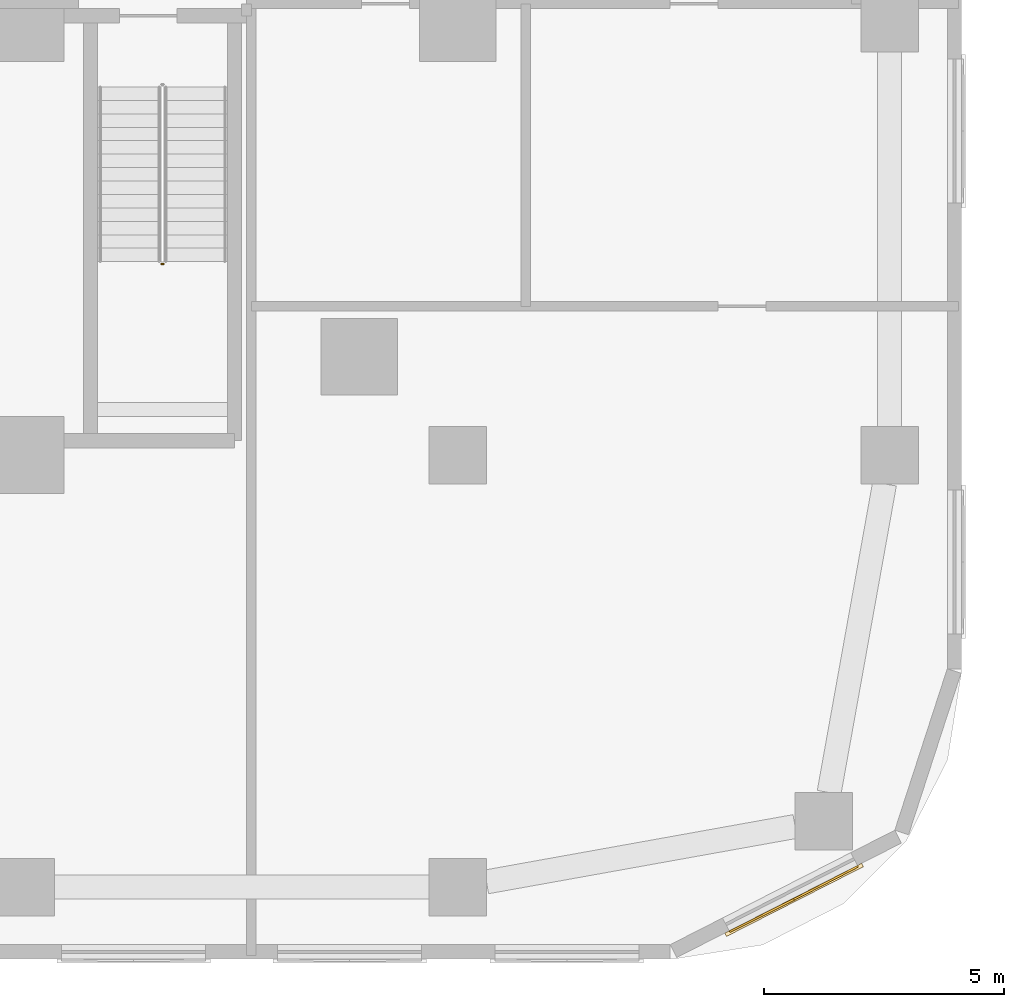
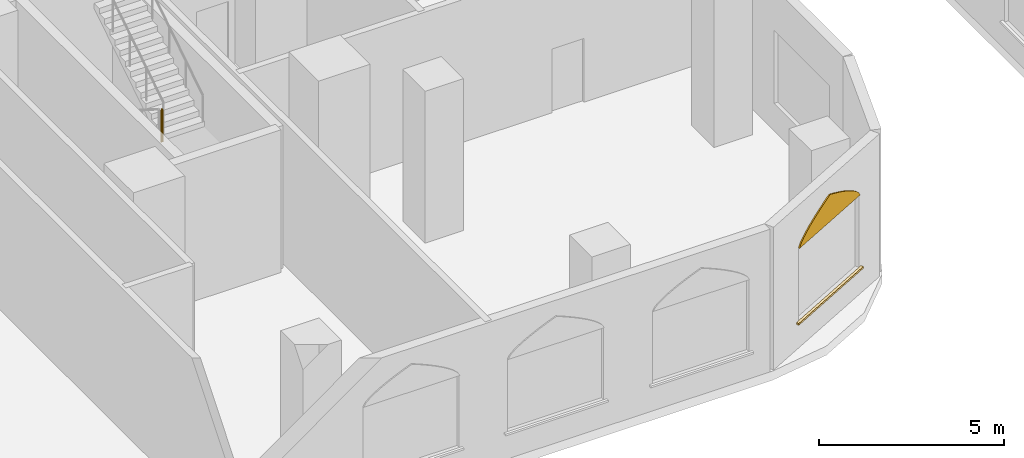
# One storey, part 26 of 31: 2 coverings, 1 railing.
"""IFC4 building model written with IfcOpenShell, lengths in metres."""

from ifc_helpers import new_model, si_unit, direction, frame, origin, origin_2d, place, context, subcontext, project, spatial, polyline, rectangle, circle, outline, extrude, material, layer, layer_set, type_object, element, save


model = new_model("IFC4")

# Units and contexts
model_context = context("Model", 3, precision=1e-05, world=origin(), true_north=direction((0.0, 1.0)))
body_context = subcontext(model_context, "Body", "Model", "MODEL_VIEW")
ifc_project = project(units=[si_unit("LENGTHUNIT", "METRE"), si_unit("AREAUNIT", "SQUARE_METRE"), si_unit("VOLUMEUNIT", "CUBIC_METRE"), si_unit("PLANEANGLEUNIT", "RADIAN"), si_unit("MASSUNIT", "GRAM", prefix="KILO")], contexts=[model_context])

# Site, building, storey
site_placement = place(None, origin())
site = spatial("IfcSite", under=ifc_project, at=site_placement, CompositionType="ELEMENT")
building_placement = place(site_placement, origin())
building = spatial("IfcBuilding", under=site, at=building_placement, Name="Ogive Portal Towers", CompositionType="ELEMENT")
storey_placement = place(building_placement, frame((0.0, 0.0, 13.5)))
storey = spatial("IfcBuildingStorey", under=building, at=storey_placement, Name="L02", CompositionType="ELEMENT", Elevation=13.5)

# Railing
ifc_material_1 = material(Name="Stainless steel balustrade", Category="steel")
railing_type = type_object("IfcRailingType", Name="INT-GUARD", PredefinedType="GUARDRAIL", material=ifc_material_1)
railing_placement = place(storey_placement, frame((88.330078125, 25.47998046875, 2.5)))
element("IfcRailing", 1, at=railing_placement, inside=storey, type_object=railing_type, Name="L02 ST-A4 stair guard 2", PredefinedType="GUARDRAIL", context=body_context, shape_type="SweptSolid", body=[
    extrude(circle(Radius=0.02392578125, at=origin_2d()), frame((0.0, 0.0, 1.076171875), z_axis=(1.0, 0.0, 0.0), x_axis=(0.0, 1.0, 0.0)), (0.0, 0.0, 1.0), 0.0400390625),
    extrude(circle(Radius=0.02099609375, at=origin_2d()), origin(), (0.0, 0.0, 1.0), 1.052001953125),
    extrude(circle(Radius=0.02099609375, at=origin_2d()), frame((0.0400390625, 0.0, 0.0)), (0.0, 0.0, 1.0), 1.052001953125),
])

# Coverings
ifc_material_2 = material(Name="Limestone cladding on lightweight block wall", Category="masonry")
ifc_layer_1 = layer(ifc_material_2, 0.0400390625)
ifc_layer_set_1 = layer_set([ifc_layer_1], Name="LANCET HEAD STONE")
covering_type_1 = type_object("IfcCoveringType", Name="LANCET HEAD STONE", PredefinedType="CLADDING", material=ifc_layer_set_1)
covering_1_placement = place(storey_placement, frame((100.15478515625, 11.58837890625, 3.300048828125), z_axis=(-0.453986518369, 0.890951213184, 0.010108257236), x_axis=(0.890996732567, 0.454009716366, -3.06364e-07)))
element("IfcCovering", 2, at=covering_1_placement, inside=storey, type_object=covering_type_1, Name="Lancet head", PredefinedType="CLADDING", context=body_context, shape_type="SweptSolid", body=[
    extrude(outline(polyline([(0.0, 0.0), (2.999890731384289, 0.0), (2.9337135819672038, -0.1125567277471324), (2.812400611987339, -0.22486506751868154), (2.6556000370748487, -0.3374203120598849), (2.469538433092914, -0.4499743995598753), (2.2588005222545657, -0.5625287879186986), (2.0255699014167377, -0.6750836458422428), (1.7721410097270687, -0.7873928150844063), (1.499929860246848, -0.8999490760785828), (1.2276287171759217, -0.7873937893609075), (0.9742165180292072, -0.6750829864833984), (0.741113432099835, -0.5625274171833613), (0.5303922139540335, -0.44997357711867286), (0.34434730266464575, -0.33741943619515136), (0.18734589194553927, -0.22486533182457222), (0.06626714300779069, -0.11255481996471935), (0.0, 0.0)])), origin(), (0.0, 0.0, -1.0), 0.0400390625),
])
ifc_layer_2 = layer(ifc_material_2, 0.080078125)
ifc_layer_set_2 = layer_set([ifc_layer_2], Name="STONE SILL 80")
covering_type_2 = type_object("IfcCoveringType", Name="STONE SILL 80", PredefinedType="CLADDING", material=ifc_layer_set_2)
covering_2_placement = place(storey_placement, frame((101.50927734375, 12.233642578125, 0.840087890625), z_axis=(0.0, 0.0, 1.0), x_axis=(0.891006524188, 0.45399049974, 0.0)))
element("IfcCovering", 3, at=covering_2_placement, inside=storey, type_object=covering_type_2, Name="Stone sill", PredefinedType="CLADDING", context=body_context, shape_type="SweptSolid", body=[
    extrude(rectangle(XDim=3.199951171875, YDim=0.080078125, at=origin_2d()), origin(), (0.0, 0.0, 1.0), 0.06005859375),
])

save(model, "model.ifc")
